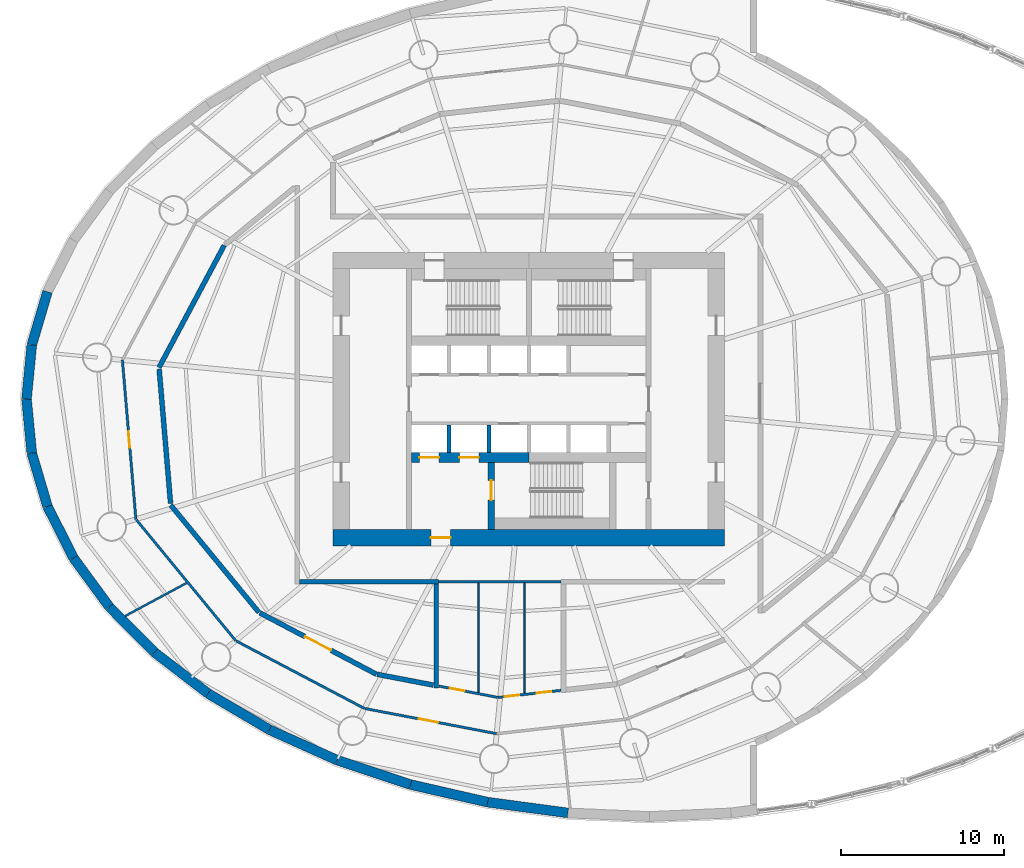
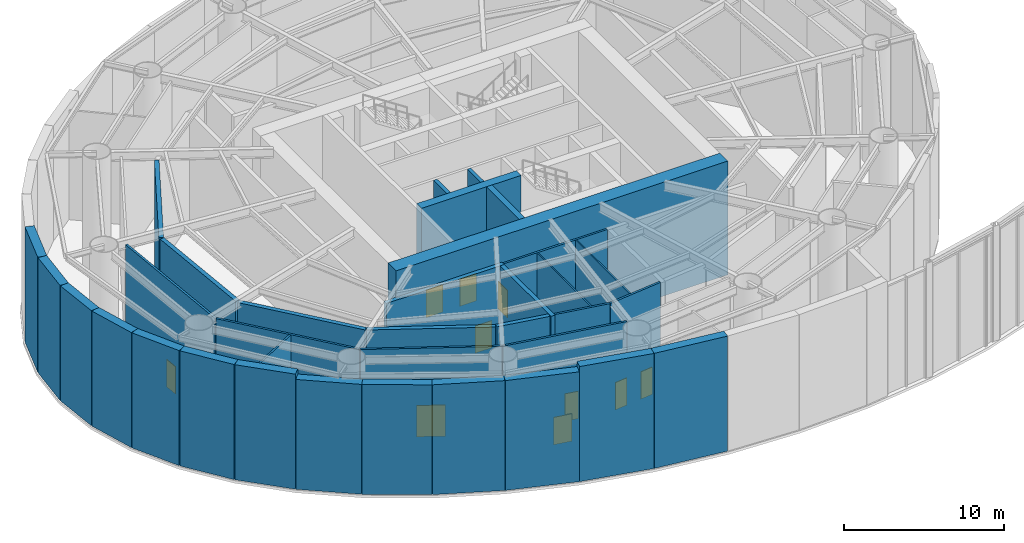
# One storey, part 14 of 19: 35 walls, 10 doors, 10 openings.
"""IFC4 building model written with IfcOpenShell, lengths in metres."""

import ifcopenshell
import ifcopenshell.guid

model = None  # the IFC model being written
_history = None  # IfcOwnerHistory: only IFC2X3 demands one
_inside = {}  # id of a spatial element -> (the spatial element, [elements in it])
_under = {}  # id of a project, library or spatial element -> (it, [spatial elements below it])
_declared = {}  # id of a project -> (the project, [libraries it declares])
_typed = {}  # id of a type object -> (the type object, [elements of that type])
_made_of = {}  # id of a material, layer set ... -> (it, [elements and type objects made of it])


def new_model(schema):
    """Start an empty IFC model of exactly this schema.

    Asked for "IFC4X3", IfcOpenShell would pick the latest addendum, in which some entities
    have other attributes; the version numbers below select the first issue.
    IFC2X3 requires an IfcOwnerHistory on every rooted entity: one is made here for all.
    """
    global model, _history
    if schema == "IFC4X3":
        model = ifcopenshell.file(schema_version=(4, 3, 0, 0))
    else:
        model = ifcopenshell.file(schema=schema)
    _inside.clear()
    _under.clear()
    _declared.clear()
    _typed.clear()
    _made_of.clear()
    _history = None
    if model.schema == "IFC2X3":
        org = make("IfcOrganization", Name="unknown")
        user = make(
            "IfcPersonAndOrganization",
            ThePerson=make("IfcPerson", FamilyName="unknown"),
            TheOrganization=org,
        )
        app = make(
            "IfcApplication",
            ApplicationDeveloper=org,
            Version="unknown",
            ApplicationFullName="unknown",
            ApplicationIdentifier="unknown",
        )
        _history = make(
            "IfcOwnerHistory",
            OwningUser=user,
            OwningApplication=app,
            ChangeAction="ADDED",
            CreationDate=0,
        )
    return model


def make(cls, **values):
    """One entity of the class cls with the attributes given. An attribute that is None is left unset."""
    return model.create_entity(
        cls, **{name: value for name, value in values.items() if value is not None}
    )


def rooted(cls, **values):
    """An entity with a GlobalId (a new one), such as an element, a storey or a relation."""
    return make(cls, GlobalId=ifcopenshell.guid.new(), OwnerHistory=_history, **values)


def si_unit(unit_type, name, prefix=None):
    """IfcSIUnit, for example si_unit("LENGTHUNIT", "METRE", prefix="MILLI")."""
    return make("IfcSIUnit", UnitType=unit_type, Prefix=prefix, Name=name)


def assignment(units):
    """IfcUnitAssignment: the units of a project."""
    return None if units is None else make("IfcUnitAssignment", Units=units)


def point(xyz):
    """IfcCartesianPoint."""
    return None if xyz is None else make("IfcCartesianPoint", Coordinates=xyz)


def direction(xyz):
    """IfcDirection."""
    return None if xyz is None else make("IfcDirection", DirectionRatios=xyz)


def frame(location, z_axis=None, x_axis=None):
    """IfcAxis2Placement3D, a coordinate frame: its origin and axes. An axis left out is left unset."""
    return make(
        "IfcAxis2Placement3D",
        Location=point(location),
        Axis=direction(z_axis),
        RefDirection=direction(x_axis),
    )


def frame_2d(location, x_axis=None):
    """IfcAxis2Placement2D, a coordinate frame in the plane: its origin and x axis."""
    return make(
        "IfcAxis2Placement2D", Location=point(location), RefDirection=direction(x_axis)
    )


def origin():
    """The frame at (0, 0, 0) with its axes left unset."""
    return frame((0.0, 0.0, 0.0))


def place(relative_to, where):
    """IfcLocalPlacement: puts the frame where relative to a parent placement (None: the world)."""
    return make(
        "IfcLocalPlacement", PlacementRelTo=relative_to, RelativePlacement=where
    )


def context(
    kind, dimensions, precision=None, world=None, true_north=None, identifier=None
):
    """IfcGeometricRepresentationContext, for example the 3D "Model" context."""
    return make(
        "IfcGeometricRepresentationContext",
        ContextIdentifier=identifier,
        ContextType=kind,
        CoordinateSpaceDimension=dimensions,
        Precision=precision,
        WorldCoordinateSystem=world,
        TrueNorth=true_north,
    )


def subcontext(parent, identifier, kind, view, scale=None):
    """IfcGeometricRepresentationSubContext, for example "Body" below "Model"."""
    return make(
        "IfcGeometricRepresentationSubContext",
        ContextIdentifier=identifier,
        ContextType=kind,
        ParentContext=parent,
        TargetScale=scale,
        TargetView=view,
    )


def project(units=None, contexts=None):
    """IfcProject with its units and contexts."""
    return rooted(
        "IfcProject",
        Name="project",
        RepresentationContexts=contexts,
        UnitsInContext=assignment(units),
    )


def spatial(cls, under=None, at=None, **own):
    """A site, building, storey or space (cls), placed at a placement, below another one or the project."""
    s = rooted(cls, ObjectPlacement=at, **own)
    if under is not None:
        _under.setdefault(under.id(), (under, []))[1].append(s)
    return s


def profile(cls, at=None, kind="AREA", **sizes):
    """A parametric profile (cls). Its sizes go by their IFC names, for example OverallWidth=200.0."""
    return make(cls, ProfileType=kind, Position=at, **sizes)


def rectangle(**sizes):
    """IfcRectangleProfileDef."""
    return profile("IfcRectangleProfileDef", **sizes)


def extrude(swept, where, along, depth):
    """IfcExtrudedAreaSolid: the profile swept, set in the frame where, extruded along a direction by depth."""
    return make(
        "IfcExtrudedAreaSolid",
        SweptArea=swept,
        Position=where,
        ExtrudedDirection=direction(along),
        Depth=depth,
    )


def shape(context_of_items, identifier, shape_type, items):
    """IfcShapeRepresentation: the items that make up one representation, for example the "Body"."""
    return make(
        "IfcShapeRepresentation",
        ContextOfItems=context_of_items,
        RepresentationIdentifier=identifier,
        RepresentationType=shape_type,
        Items=items,
    )


def material(Name=None, Category=None):
    """IfcMaterial."""
    return make("IfcMaterial", Name=Name, Category=Category)


def layer(
    of_material, thickness, ventilated=None, Name=None, Category=None, Priority=None
):
    """IfcMaterialLayer: one layer of a wall or slab, of a material (None: an air gap)."""
    return make(
        "IfcMaterialLayer",
        Material=of_material,
        LayerThickness=thickness,
        IsVentilated=ventilated,
        Name=Name,
        Category=Category,
        Priority=Priority,
    )


def layer_set(layers, Name=None):
    """IfcMaterialLayerSet."""
    return make("IfcMaterialLayerSet", MaterialLayers=layers, LayerSetName=Name)


def made_of(thing, what):
    """Note that an element or type object is made of a material, layer set ...; save() writes the relation."""
    if what is not None:
        _made_of.setdefault(what.id(), (what, []))[1].append(thing)
    return thing


def type_object(cls, material=None, **own):
    """A type object (cls), such as IfcWallType, which elements share."""
    return made_of(rooted(cls, **own), material)


def element(
    cls,
    number,
    at=None,
    inside=None,
    cuts=None,
    type_object=None,
    material=None,
    context=None,
    identifier="Body",
    shape_type=None,
    held_by="IfcProductDefinitionShape",
    body=None,
    shapes=None,
    **own,
):
    """One element of the class cls, such as IfcWall. Its Tag is "e" and its number.

    at: its placement. inside: the storey or other place that contains it. cuts: it is an
    opening in that element (IfcRelVoidsElement). A single representation is given by context,
    identifier, shape_type and body (its items); several are given by shapes. held_by: the class
    of the entity that holds the representations. save() writes the other relations.
    """
    e = rooted(cls, Tag="e%d" % number, ObjectPlacement=at, **own)
    if body is not None:
        shapes = [shape(context, identifier, shape_type, body)]
    if shapes is not None:
        e.Representation = make(held_by, Representations=shapes)
    if inside is not None:
        _inside.setdefault(inside.id(), (inside, []))[1].append(e)
    if cuts is not None:
        rooted(
            "IfcRelVoidsElement", RelatingBuildingElement=cuts, RelatedOpeningElement=e
        )
    if type_object is not None:
        _typed.setdefault(type_object.id(), (type_object, []))[1].append(e)
    return made_of(e, material)


def fill(opening, filler):
    """IfcRelFillsElement: the door or window that sits in an opening."""
    return rooted(
        "IfcRelFillsElement",
        RelatingOpeningElement=opening,
        RelatedBuildingElement=filler,
    )


def aggregate(whole, parts):
    """IfcRelAggregates: a whole, such as a stair, and the parts it consists of."""
    return rooted("IfcRelAggregates", RelatingObject=whole, RelatedObjects=parts)


def save(model, path):
    """Write the relations noted so far, then the file.

    IfcRelAggregates (storeys below a building ...), IfcRelContainedInSpatialStructure (elements
    in a storey), IfcRelDefinesByType, IfcRelAssociatesMaterial and IfcRelDeclares: one each for
    every whole, place, type object, material and project.
    """
    for whole, parts in _under.values():
        aggregate(whole, parts)
    for where, things in _inside.values():
        rooted(
            "IfcRelContainedInSpatialStructure",
            RelatedElements=things,
            RelatingStructure=where,
        )
    for kind, things in _typed.values():
        rooted("IfcRelDefinesByType", RelatedObjects=things, RelatingType=kind)
    for what, things in _made_of.values():
        rooted("IfcRelAssociatesMaterial", RelatedObjects=things, RelatingMaterial=what)
    for by, libraries in _declared.values():
        rooted("IfcRelDeclares", RelatingContext=by, RelatedDefinitions=libraries)
    model.write(path)


model = new_model("IFC4")

# Units and contexts
model_context = context("Model", 3, precision=1e-05, world=origin(), true_north=direction((0.0, 1.0)))
body_context = subcontext(model_context, "Body", "Model", "MODEL_VIEW")
ifc_project = project(units=[si_unit("LENGTHUNIT", "METRE"), si_unit("AREAUNIT", "SQUARE_METRE"), si_unit("VOLUMEUNIT", "CUBIC_METRE"), si_unit("PLANEANGLEUNIT", "RADIAN"), si_unit("MASSUNIT", "GRAM", prefix="KILO")], contexts=[model_context])

# Site, building, storey
site_placement = place(None, origin())
site = spatial("IfcSite", under=ifc_project, at=site_placement, CompositionType="ELEMENT")
building_placement = place(site_placement, origin())
building = spatial("IfcBuilding", under=site, at=building_placement, Name="Vermilion Reach Broadcast Tower", CompositionType="ELEMENT")
storey_placement = place(building_placement, frame((0.0, 0.0, 8.0)))
storey = spatial("IfcBuildingStorey", under=building, at=storey_placement, Name="L01", CompositionType="ELEMENT", Elevation=8.0)

# Wall, opening, door
ifc_material_1 = material(Name="Concrete C70", Category="concrete")
ifc_layer_1 = layer(ifc_material_1, 0.39990234375)
ifc_layer_set_1 = layer_set([ifc_layer_1], Name="Core inner wall 400 mm Concrete C70")
wall_type_1 = type_object("IfcWallType", Name="Core inner wall 400 mm Concrete C70", PredefinedType="SHEAR", material=ifc_layer_set_1)
wall_1_placement = place(storey_placement, frame((-8.300048828125, -3.8798828125, 0.0), z_axis=(0.0, 0.0, 1.0), x_axis=(0.0, -1.0, 0.0)))
wall_1 = element("IfcWall", 1, at=wall_1_placement, inside=storey, type_object=wall_type_1, Name="L01 core wall wa", PredefinedType="SHEAR", context=body_context, shape_type="SweptSolid", body=[
    extrude(rectangle(XDim=4.1201171875, YDim=0.39990234375, at=frame_2d((2.06005859375, 0.0))), origin(), (0.0, 0.0, 1.0), 8.699951171875),
])
opening_1_placement = place(wall_1_placement, frame((1.110107421875, 0.0, 0.0)))
opening_1 = element("IfcOpeningElement", 2, at=opening_1_placement, cuts=wall_1, Name="Opening D01", PredefinedType="OPENING", context=body_context, shape_type="SweptSolid", body=[
    extrude(rectangle(XDim=1.199951171875, YDim=2.10009765625, at=frame_2d((0.60009765625, 1.050048828125))), frame((0.0, 0.2099609375, 0.0), z_axis=(0.0, -1.0, 0.0), x_axis=(1.0, 0.0, 0.0)), (0.0, 0.0, 1.0), 0.419921875),
])
ifc_material_2 = material(Name="Painted steel fire door", Category="steel")
door_type_1 = type_object("IfcDoorType", Name="Stair door 1200 x 2100", OperationType="DOUBLE_DOOR_SINGLE_SWING", PredefinedType="NOTDEFINED", material=ifc_material_2)
door_1_placement = place(opening_1_placement, origin())
door_1 = element("IfcDoor", 3, at=door_1_placement, inside=storey, type_object=door_type_1, Name="L01 stair door ST3", OperationType="DOUBLE_DOOR_SINGLE_SWING", OverallHeight=2.10009765625, OverallWidth=1.199951171875, PredefinedType="NOTDEFINED", context=body_context, shape_type="SweptSolid", body=[
    extrude(rectangle(XDim=1.199951171875, YDim=2.10009765625, at=frame_2d((0.60009765625, 1.050048828125))), frame((0.0, 0.02490234375, 0.0), z_axis=(0.0, -1.0, 0.0), x_axis=(1.0, 0.0, 0.0)), (0.0, 0.0, 1.0), 0.050048828125),
])
fill(opening_1, door_1)

# Wall, openings, doors
ifc_material_3 = material(Name="Concrete C70", Category="concrete")
ifc_layer_2 = layer(ifc_material_3, 0.60009765625)
ifc_layer_set_2 = layer_set([ifc_layer_2], Name="Core inner wall 600 mm Concrete C70")
wall_type_2 = type_object("IfcWallType", Name="Core inner wall 600 mm Concrete C70", PredefinedType="SHEAR", material=ifc_layer_set_2)
wall_2_placement = place(storey_placement, frame((-13.199951171875, -3.580078125, 0.0), z_axis=(0.0, 0.0, 1.0), x_axis=(1.0, 0.0, 0.0)))
wall_2 = element("IfcWall", 4, at=wall_2_placement, inside=storey, type_object=wall_type_2, Name="L01 core wall wisW", PredefinedType="SHEAR", context=body_context, shape_type="SweptSolid", body=[
    extrude(rectangle(XDim=7.199951171875, YDim=0.60009765625, at=frame_2d((3.60009765625, 0.0))), origin(), (0.0, 0.0, 1.0), 8.699951171875),
])
opening_2_placement = place(wall_2_placement, frame((0.495849609375, 0.0, 0.0)))
opening_2 = element("IfcOpeningElement", 5, at=opening_2_placement, cuts=wall_2, Name="Opening LD1", PredefinedType="OPENING", context=body_context, shape_type="SweptSolid", body=[
    extrude(rectangle(XDim=1.199951171875, YDim=2.10009765625, at=frame_2d((0.60009765625, 1.050048828125))), frame((0.0, 0.31005859375, 0.0), z_axis=(0.0, -1.0, 0.0), x_axis=(1.0, 0.0, 0.0)), (0.0, 0.0, 1.0), 0.6201171875),
])
opening_3_placement = place(wall_2_placement, frame((2.9375, 0.0, 0.0)))
opening_3 = element("IfcOpeningElement", 6, at=opening_3_placement, cuts=wall_2, Name="Opening LD1", PredefinedType="OPENING", context=body_context, shape_type="SweptSolid", body=[
    extrude(rectangle(XDim=1.199951171875, YDim=2.10009765625, at=frame_2d((0.60009765625, 1.050048828125))), frame((0.0, 0.31005859375, 0.0), z_axis=(0.0, -1.0, 0.0), x_axis=(1.0, 0.0, 0.0)), (0.0, 0.0, 1.0), 0.6201171875),
])
ifc_material_4 = material(Name="Stainless steel", Category="steel")
door_type_2 = type_object("IfcDoorType", Name="Landing door 1200 x 2100", OperationType="DOUBLE_DOOR_SLIDING", PredefinedType="NOTDEFINED", material=ifc_material_4)
door_2_placement = place(opening_2_placement, origin())
door_2 = element("IfcDoor", 7, at=door_2_placement, inside=storey, type_object=door_type_2, Name="L01 landing door FF1", OperationType="DOUBLE_DOOR_SLIDING", OverallHeight=2.10009765625, OverallWidth=1.199951171875, PredefinedType="NOTDEFINED", context=body_context, shape_type="SweptSolid", body=[
    extrude(rectangle(XDim=1.199951171875, YDim=2.10009765625, at=frame_2d((0.60009765625, 1.050048828125))), frame((0.0, 0.02490234375, 0.0), z_axis=(0.0, -1.0, 0.0), x_axis=(1.0, 0.0, 0.0)), (0.0, 0.0, 1.0), 0.050048828125),
])
fill(opening_2, door_2)
door_3_placement = place(opening_3_placement, origin())
door_3 = element("IfcDoor", 8, at=door_3_placement, inside=storey, type_object=door_type_2, Name="L01 landing door FF2", OperationType="DOUBLE_DOOR_SLIDING", OverallHeight=2.10009765625, OverallWidth=1.199951171875, PredefinedType="NOTDEFINED", context=body_context, shape_type="SweptSolid", body=[
    extrude(rectangle(XDim=1.199951171875, YDim=2.10009765625, at=frame_2d((0.60009765625, 1.050048828125))), frame((0.0, 0.02490234375, 0.0), z_axis=(0.0, -1.0, 0.0), x_axis=(1.0, 0.0, 0.0)), (0.0, 0.0, 1.0), 0.050048828125),
])
fill(opening_3, door_3)

# Wall, opening, door
ifc_material_5 = material(Name="Concrete C70", Category="concrete")
ifc_layer_3 = layer(ifc_material_5, 1.0)
ifc_layer_set_3 = layer_set([ifc_layer_3], Name="Core outer wall 1000 mm Concrete C70")
wall_type_3 = type_object("IfcWallType", Name="Core outer wall 1000 mm Concrete C70", PredefinedType="SHEAR", material=ifc_layer_set_3)
wall_3_placement = place(storey_placement, frame((-18.0, -8.5, 0.0), z_axis=(0.0, 0.0, 1.0), x_axis=(1.0, 0.0, 0.0)))
wall_3 = element("IfcWall", 9, at=wall_3_placement, inside=storey, type_object=wall_type_3, Name="L01 core wall os", PredefinedType="SHEAR", context=body_context, shape_type="SweptSolid", body=[
    extrude(rectangle(XDim=24.0, YDim=1.0, at=frame_2d((12.0, 0.0))), origin(), (0.0, 0.0, 1.0), 8.699951171875),
])
opening_4_placement = place(wall_3_placement, frame((6.0, 0.0, 0.0)))
opening_4 = element("IfcOpeningElement", 10, at=opening_4_placement, cuts=wall_3, Name="Opening D02", PredefinedType="OPENING", context=body_context, shape_type="SweptSolid", body=[
    extrude(rectangle(XDim=1.199951171875, YDim=2.10009765625, at=frame_2d((0.60009765625, 1.050048828125))), frame((0.0, 0.510009765625, 0.0), z_axis=(0.0, -1.0, 0.0), x_axis=(1.0, 0.0, 0.0)), (0.0, 0.0, 1.0), 1.02001953125),
])
ifc_material_6 = material(Name="Painted steel fire door", Category="steel")
door_type_3 = type_object("IfcDoorType", Name="Firefighting lobby door 1200 x 2100", OperationType="DOUBLE_DOOR_SINGLE_SWING", PredefinedType="NOTDEFINED", material=ifc_material_6)
door_4_placement = place(opening_4_placement, origin())
door_4 = element("IfcDoor", 11, at=door_4_placement, inside=storey, type_object=door_type_3, Name="L01 ffdoor door FFL", OperationType="DOUBLE_DOOR_SINGLE_SWING", OverallHeight=2.10009765625, OverallWidth=1.199951171875, PredefinedType="NOTDEFINED", context=body_context, shape_type="SweptSolid", body=[
    extrude(rectangle(XDim=1.199951171875, YDim=2.10009765625, at=frame_2d((0.60009765625, 1.050048828125))), frame((0.0, 0.02490234375, 0.0), z_axis=(0.0, -1.0, 0.0), x_axis=(1.0, 0.0, 0.0)), (0.0, 0.0, 1.0), 0.050048828125),
])
fill(opening_4, door_4)

# Walls
ifc_material_7 = material(Name="Concrete C50", Category="concrete")
ifc_layer_4 = layer(ifc_material_7, 0.25)
ifc_layer_set_4 = layer_set([ifc_layer_4], Name="Core shaft wall 250 mm Concrete C50")
wall_type_4 = type_object("IfcWallType", Name="Core shaft wall 250 mm Concrete C50", PredefinedType="SHEAR", material=ifc_layer_set_4)
for number, where, z_axis, x_axis, name in (
    (12, (-10.88330078125, -1.60009765625, 0.0), (0.0, 0.0, 1.0), (0.0, -1.0, 0.0), "L01 core wall psS0"),
    (13, (-8.441650390625, -1.60009765625, 0.0), (0.0, 0.0, 1.0), (0.0, -1.0, 0.0), "L01 core wall psS1"),
):
    element("IfcWall", number, at=place(storey_placement, frame(where, z_axis=z_axis, x_axis=x_axis)), inside=storey, type_object=wall_type_4, Name=name, PredefinedType="SHEAR", context=body_context, shape_type="SweptSolid", body=[
        extrude(rectangle(XDim=1.679931640625, YDim=0.25, at=frame_2d((0.83984375, 0.0))), origin(), (0.0, 0.0, 1.0), 8.699951171875),
    ])
ifc_material_8 = material(Name="Gypsum board partition")
ifc_layer_5 = layer(ifc_material_8, 0.14990234375)
ifc_layer_set_5 = layer_set([ifc_layer_5], Name="Corridor wall 150")
wall_type_5 = type_object("IfcWallType", Name="Corridor wall 150", PredefinedType="PARTITIONING", material=ifc_layer_set_5)
wall_4_placement = place(storey_placement, frame((-11.5244140625, -11.199951171875, 0.0), z_axis=(0.0, 0.0, 1.0), x_axis=(1.0, 0.0, 0.0)))
element("IfcWall", 14, at=wall_4_placement, inside=storey, type_object=wall_type_5, Name="sp.wall.L01.005", PredefinedType="PARTITIONING", context=body_context, shape_type="SweptSolid", body=[
    extrude(rectangle(XDim=7.50048828125, YDim=0.14990234375, at=frame_2d((3.750244140625, 0.0))), origin(), (0.0, 0.0, 1.0), 8.35009765625),
])

# Wall, opening, door
wall_5_placement = place(storey_placement, frame((-11.510009765625, -17.604736328125, 0.0), z_axis=(0.0, 0.0, 1.0), x_axis=(0.982205411617, -0.1878098224, 0.0)))
wall_5 = element("IfcWall", 15, at=wall_5_placement, inside=storey, type_object=wall_type_5, Name="sp.wall.L01.023", PredefinedType="PARTITIONING", context=body_context, shape_type="SweptSolid", body=[
    extrude(rectangle(XDim=3.665771484375, YDim=0.14990234375, at=frame_2d((1.8330078125, 0.0))), origin(), (0.0, 0.0, 1.0), 8.35009765625),
])
opening_5_placement = place(wall_5_placement, frame((0.692138671875, 0.0, 0.0)))
opening_5 = element("IfcOpeningElement", 16, at=opening_5_placement, cuts=wall_5, Name="Opening D51", PredefinedType="OPENING", context=body_context, shape_type="SweptSolid", body=[
    extrude(rectangle(XDim=0.89990234375, YDim=2.10009765625, at=frame_2d((0.449951171875, 1.050048828125))), frame((0.0, 0.0849609375, 0.0), z_axis=(0.0, -1.0, 0.0), x_axis=(1.0, 0.0, 0.0)), (0.0, 0.0, 1.0), 0.169921875),
])
ifc_material_9 = material(Name="Timber and steel door set", Category="steel")
door_type_4 = type_object("IfcDoorType", Name="Door 900x2100 WC", OperationType="NOTDEFINED", PredefinedType="DOOR", material=ifc_material_9)
door_5_placement = place(opening_5_placement, origin())
door_5 = element("IfcDoor", 17, at=door_5_placement, inside=storey, type_object=door_type_4, Name="sp.door.L01.002", OperationType="SINGLE_SWING_LEFT", OverallHeight=2.10009765625, OverallWidth=0.89990234375, PredefinedType="DOOR", context=body_context, shape_type="SweptSolid", body=[
    extrude(rectangle(XDim=0.89990234375, YDim=2.10009765625, at=frame_2d((0.449951171875, 1.050048828125))), frame((0.0, 0.02490234375, 0.0), z_axis=(0.0, -1.0, 0.0), x_axis=(1.0, 0.0, 0.0)), (0.0, 0.0, 1.0), 0.050048828125),
])
fill(opening_5, door_5)

# Wall, openings, doors
wall_6_placement = place(storey_placement, frame((-7.886474609375, -18.297607421875, 0.0), z_axis=(0.0, 0.0, 1.0), x_axis=(0.993758735992, 0.111550771581, 0.0)))
wall_6 = element("IfcWall", 18, at=wall_6_placement, inside=storey, type_object=wall_type_5, Name="sp.wall.L01.025", PredefinedType="PARTITIONING", context=body_context, shape_type="SweptSolid", body=[
    extrude(rectangle(XDim=3.878173828125, YDim=0.14990234375, at=frame_2d((1.93896484375, 0.0))), origin(), (0.0, 0.0, 1.0), 8.35009765625),
])
opening_6_placement = place(wall_6_placement, frame((0.4111328125, 0.0, 0.0)))
opening_6 = element("IfcOpeningElement", 19, at=opening_6_placement, cuts=wall_6, Name="Opening D51", PredefinedType="OPENING", context=body_context, shape_type="SweptSolid", body=[
    extrude(rectangle(XDim=0.89990234375, YDim=2.10009765625, at=frame_2d((0.449951171875, 1.050048828125))), frame((0.0, 0.0849609375, 0.0), z_axis=(0.0, -1.0, 0.0), x_axis=(1.0, 0.0, 0.0)), (0.0, 0.0, 1.0), 0.169921875),
])
opening_7_placement = place(wall_6_placement, frame((2.375732421875, 0.0, 0.0)))
opening_7 = element("IfcOpeningElement", 20, at=opening_7_placement, cuts=wall_6, Name="Opening D51", PredefinedType="OPENING", context=body_context, shape_type="SweptSolid", body=[
    extrude(rectangle(XDim=0.89990234375, YDim=2.10009765625, at=frame_2d((0.449951171875, 1.050048828125))), frame((0.0, 0.0849609375, 0.0), z_axis=(0.0, -1.0, 0.0), x_axis=(1.0, 0.0, 0.0)), (0.0, 0.0, 1.0), 0.169921875),
])
door_6_placement = place(opening_6_placement, origin())
door_6 = element("IfcDoor", 21, at=door_6_placement, inside=storey, type_object=door_type_4, Name="sp.door.L01.003", OperationType="SINGLE_SWING_RIGHT", OverallHeight=2.10009765625, OverallWidth=0.89990234375, PredefinedType="DOOR", context=body_context, shape_type="SweptSolid", body=[
    extrude(rectangle(XDim=0.89990234375, YDim=2.10009765625, at=frame_2d((0.449951171875, 1.050048828125))), frame((0.0, 0.02490234375, 0.0), z_axis=(0.0, -1.0, 0.0), x_axis=(1.0, 0.0, 0.0)), (0.0, 0.0, 1.0), 0.050048828125),
])
fill(opening_6, door_6)
door_7_placement = place(opening_7_placement, origin())
door_7 = element("IfcDoor", 22, at=door_7_placement, inside=storey, type_object=door_type_4, Name="sp.door.L01.004", OperationType="SINGLE_SWING_LEFT", OverallHeight=2.10009765625, OverallWidth=0.89990234375, PredefinedType="DOOR", context=body_context, shape_type="SweptSolid", body=[
    extrude(rectangle(XDim=0.89990234375, YDim=2.10009765625, at=frame_2d((0.449951171875, 1.050048828125))), frame((0.0, 0.02490234375, 0.0), z_axis=(0.0, -1.0, 0.0), x_axis=(1.0, 0.0, 0.0)), (0.0, 0.0, 1.0), 0.050048828125),
])
fill(opening_7, door_7)

# Wall, opening, door
wall_7_placement = place(storey_placement, frame((-30.921142578125, 2.395263671875, 0.0), z_axis=(0.0, 0.0, 1.0), x_axis=(0.084469905026, -0.996426030945, 0.0)))
wall_7 = element("IfcWall", 23, at=wall_7_placement, inside=storey, type_object=wall_type_5, Name="sp.wall.L01.041", PredefinedType="PARTITIONING", context=body_context, shape_type="SweptSolid", body=[
    extrude(rectangle(XDim=9.80078125, YDim=0.14990234375, at=frame_2d((4.900390625, 0.0))), origin(), (0.0, 0.0, 1.0), 8.35009765625),
])
opening_8_placement = place(wall_7_placement, frame((4.400390625, 0.0, 0.0)))
opening_8 = element("IfcOpeningElement", 24, at=opening_8_placement, cuts=wall_7, Name="Opening D50", PredefinedType="OPENING", context=body_context, shape_type="SweptSolid", body=[
    extrude(rectangle(XDim=1.0, YDim=2.10009765625, at=frame_2d((0.5, 1.050048828125))), frame((0.0, 0.0849609375, 0.0), z_axis=(0.0, -1.0, 0.0), x_axis=(1.0, 0.0, 0.0)), (0.0, 0.0, 1.0), 0.169921875),
])
ifc_material_10 = material(Name="Timber and steel door set", Category="steel")
door_type_5 = type_object("IfcDoorType", Name="Door 1000x2100", OperationType="NOTDEFINED", PredefinedType="DOOR", material=ifc_material_10)
door_8_placement = place(opening_8_placement, origin())
door_8 = element("IfcDoor", 25, at=door_8_placement, inside=storey, type_object=door_type_5, Name="sp.door.L01.008", OperationType="SINGLE_SWING_LEFT", OverallHeight=2.10009765625, OverallWidth=1.0, PredefinedType="DOOR", context=body_context, shape_type="SweptSolid", body=[
    extrude(rectangle(XDim=1.0, YDim=2.10009765625, at=frame_2d((0.5, 1.050048828125))), frame((0.0, 0.02490234375, 0.0), z_axis=(0.0, -1.0, 0.0), x_axis=(1.0, 0.0, 0.0)), (0.0, 0.0, 1.0), 0.050048828125),
])
fill(opening_8, door_8)

# Walls
wall_8_placement = place(storey_placement, frame((-30.060302734375, -7.41064453125, 0.0), z_axis=(0.0, 0.0, 1.0), x_axis=(0.63502168635, -0.772494309277, 0.0)))
element("IfcWall", 26, at=wall_8_placement, inside=storey, type_object=wall_type_5, Name="sp.wall.L01.042", PredefinedType="PARTITIONING", context=body_context, shape_type="SweptSolid", body=[
    extrude(rectangle(XDim=9.590087890625, YDim=0.14990234375, at=frame_2d((4.794921875, 0.0))), origin(), (0.0, 0.0, 1.0), 8.35009765625),
])
wall_9_placement = place(storey_placement, frame((-23.9423828125, -14.83349609375, 0.0), z_axis=(0.0, 0.0, 1.0), x_axis=(0.884920607371, -0.465741901326, 0.0)))
element("IfcWall", 27, at=wall_9_placement, inside=storey, type_object=wall_type_5, Name="sp.wall.L01.044", PredefinedType="PARTITIONING", context=body_context, shape_type="SweptSolid", body=[
    extrude(rectangle(XDim=8.882080078125, YDim=0.14990234375, at=frame_2d((4.44091796875, 0.0))), origin(), (0.0, 0.0, 1.0), 8.35009765625),
])

# Wall, opening, door
wall_10_placement = place(storey_placement, frame((-16.06005859375, -18.974609375, 0.0), z_axis=(0.0, 0.0, 1.0), x_axis=(0.982207009241, -0.187801466976, 0.0)))
wall_10 = element("IfcWall", 28, at=wall_10_placement, inside=storey, type_object=wall_type_5, Name="sp.wall.L01.045", PredefinedType="PARTITIONING", context=body_context, shape_type="SweptSolid", body=[
    extrude(rectangle(XDim=8.234130859375, YDim=0.14990234375, at=frame_2d((4.1171875, 0.0))), origin(), (0.0, 0.0, 1.0), 8.35009765625),
])
opening_9_placement = place(wall_10_placement, frame((3.390625, 0.0, 0.0)))
opening_9 = element("IfcOpeningElement", 29, at=opening_9_placement, cuts=wall_10, Name="Opening D57", PredefinedType="OPENING", context=body_context, shape_type="SweptSolid", body=[
    extrude(rectangle(XDim=1.199951171875, YDim=2.10009765625, at=frame_2d((0.60009765625, 1.050048828125))), frame((0.0, 0.0849609375, 0.0), z_axis=(0.0, -1.0, 0.0), x_axis=(1.0, 0.0, 0.0)), (0.0, 0.0, 1.0), 0.169921875),
])
ifc_material_11 = material(Name="Timber and steel door set", Category="steel")
door_type_6 = type_object("IfcDoorType", Name="Control room door 1200x2100", OperationType="NOTDEFINED", PredefinedType="DOOR", material=ifc_material_11)
door_9_placement = place(opening_9_placement, origin())
door_9 = element("IfcDoor", 30, at=door_9_placement, inside=storey, type_object=door_type_6, Name="sp.door.L01.009", OperationType="SINGLE_SWING_RIGHT", OverallHeight=2.10009765625, OverallWidth=1.199951171875, PredefinedType="DOOR", context=body_context, shape_type="SweptSolid", body=[
    extrude(rectangle(XDim=1.199951171875, YDim=2.10009765625, at=frame_2d((0.60009765625, 1.050048828125))), frame((0.0, 0.02490234375, 0.0), z_axis=(0.0, -1.0, 0.0), x_axis=(1.0, 0.0, 0.0)), (0.0, 0.0, 1.0), 0.050048828125),
])
fill(opening_9, door_9)

# Walls
ifc_material_12 = material(Name="Gypsum board partition")
ifc_layer_6 = layer(ifc_material_12, 0.125)
ifc_layer_set_6 = layer_set([ifc_layer_6], Name="Partition 125 plasterboard")
wall_type_6 = type_object("IfcWallType", Name="Partition 125 plasterboard", PredefinedType="PARTITIONING", material=ifc_layer_set_6)
wall_11_placement = place(storey_placement, frame((-30.74560546875, -13.302001953125, 0.0), z_axis=(0.0, 0.0, 1.0), x_axis=(0.880798131898, 0.473491975481, 0.0)))
element("IfcWall", 31, at=wall_11_placement, inside=storey, type_object=wall_type_6, Name="sp.wall.L01.039", PredefinedType="PARTITIONING", context=body_context, shape_type="SweptSolid", body=[
    extrude(rectangle(XDim=4.26416015625, YDim=0.125, at=frame_2d((2.132080078125, 0.0))), origin(), (0.0, 0.0, 1.0), 8.35009765625),
])
ifc_material_13 = material(Name="Precast concrete C40/50 with acoustic cladding", Category="concrete")
ifc_layer_7 = layer(ifc_material_13, 0.60009765625)
ifc_layer_set_7 = layer_set([ifc_layer_7], Name="Podium acoustic wall 600")
wall_type_7 = type_object("IfcWallType", Name="Podium acoustic wall 600", PredefinedType="SOLIDWALL", material=ifc_layer_set_7)
wall_12_placement = place(storey_placement, frame((-35.51318359375, 6.58154296875, 0.0), z_axis=(0.0, 0.0, 1.0), x_axis=(-0.283226206308, -0.95905313516, 0.0)))
element("IfcWall", 32, at=wall_12_placement, inside=storey, type_object=wall_type_7, Name="Podium wall L01 str12", PredefinedType="SOLIDWALL", context=body_context, shape_type="SweptSolid", body=[
    extrude(rectangle(XDim=3.404052734375, YDim=0.60009765625, at=frame_2d((1.7021484375, 0.0))), origin(), (0.0, 0.0, 1.0), 8.800048828125),
])
for number, where, z_axis, x_axis, name in (
    (33, (-36.477294921875, 3.31689453125, 0.0), (0.0, 0.0, 1.0), (-0.096848626537, -0.995299122645, 0.0), "Podium wall L01 str13"),
    (34, (-36.800048828125, 0.0, 0.0), (0.0, 0.0, 1.0), (0.096848626537, -0.995299122645, 0.0), "Podium wall L01 str14"),
):
    element("IfcWall", number, at=place(storey_placement, frame(where, z_axis=z_axis, x_axis=x_axis)), inside=storey, type_object=wall_type_7, Name=name, PredefinedType="SOLIDWALL", context=body_context, shape_type="SweptSolid", body=[
        extrude(rectangle(XDim=3.33251953125, YDim=0.60009765625, at=frame_2d((1.666259765625, 0.0))), origin(), (0.0, 0.0, 1.0), 8.800048828125),
    ])
wall_13_placement = place(storey_placement, frame((-36.477294921875, -3.31689453125, 0.0), z_axis=(0.0, 0.0, 1.0), x_axis=(0.283226206308, -0.95905313516, 0.0)))
element("IfcWall", 35, at=wall_13_placement, inside=storey, type_object=wall_type_7, Name="Podium wall L01 str15", PredefinedType="SOLIDWALL", context=body_context, shape_type="SweptSolid", body=[
    extrude(rectangle(XDim=3.404052734375, YDim=0.60009765625, at=frame_2d((1.7021484375, 0.0))), origin(), (0.0, 0.0, 1.0), 8.800048828125),
])
wall_14_placement = place(storey_placement, frame((-35.51318359375, -6.58154296875, 0.0), z_axis=(0.0, 0.0, 1.0), x_axis=(0.450137579264, -0.892959215045, 0.0)))
element("IfcWall", 36, at=wall_14_placement, inside=storey, type_object=wall_type_7, Name="Podium wall L01 str16", PredefinedType="SOLIDWALL", context=body_context, shape_type="SweptSolid", body=[
    extrude(rectangle(XDim=3.537353515625, YDim=0.60009765625, at=frame_2d((1.7685546875, 0.0))), origin(), (0.0, 0.0, 1.0), 8.800048828125),
])
wall_15_placement = place(storey_placement, frame((-33.9208984375, -9.740234375, 0.0), z_axis=(0.0, 0.0, 1.0), x_axis=(0.59073426953, -0.806866174035, 0.0)))
element("IfcWall", 37, at=wall_15_placement, inside=storey, type_object=wall_type_7, Name="Podium wall L01 str17", PredefinedType="SOLIDWALL", context=body_context, shape_type="SweptSolid", body=[
    extrude(rectangle(XDim=3.717529296875, YDim=0.60009765625, at=frame_2d((1.85888671875, 0.0))), origin(), (0.0, 0.0, 1.0), 8.800048828125),
])
wall_16_placement = place(storey_placement, frame((-31.724853515625, -12.73974609375, 0.0), z_axis=(0.0, 0.0, 1.0), x_axis=(0.704303183564, -0.709899306678, 0.0)))
element("IfcWall", 38, at=wall_16_placement, inside=storey, type_object=wall_type_7, Name="Podium wall L01 str18", PredefinedType="SOLIDWALL", context=body_context, shape_type="SweptSolid", body=[
    extrude(rectangle(XDim=3.926513671875, YDim=0.60009765625, at=frame_2d((1.96337890625, 0.0))), origin(), (0.0, 0.0, 1.0), 8.800048828125),
])
wall_17_placement = place(storey_placement, frame((-13.26416015625, -23.635498046875, 0.0), z_axis=(0.0, 0.0, 1.0), x_axis=(0.97483982486, -0.222906518224, 0.0)))
element("IfcWall", 39, at=wall_17_placement, inside=storey, type_object=wall_type_7, Name="Podium wall L01 str23", PredefinedType="SOLIDWALL", context=body_context, shape_type="SweptSolid", body=[
    extrude(rectangle(XDim=4.867431640625, YDim=0.60009765625, at=frame_2d((2.43359375, 0.0))), origin(), (0.0, 0.0, 1.0), 8.800048828125),
])
wall_18_placement = place(storey_placement, frame((-8.519287109375, -24.720458984375, 0.0), z_axis=(0.0, 0.0, 1.0), x_axis=(0.991143444913, -0.132795600853, 0.0)))
element("IfcWall", 40, at=wall_18_placement, inside=storey, type_object=wall_type_7, Name="Podium wall L01 str24", PredefinedType="SOLIDWALL", context=body_context, shape_type="SweptSolid", body=[
    extrude(rectangle(XDim=4.960205078125, YDim=0.60009765625, at=frame_2d((2.47998046875, 0.0))), origin(), (0.0, 0.0, 1.0), 8.800048828125),
])
ifc_material_14 = material(Name="Precast concrete C40/50 with acoustic cladding", Category="concrete")
ifc_layer_8 = layer(ifc_material_14, 0.60009765625)
ifc_layer_set_8 = layer_set([ifc_layer_8], Name="Podium acoustic wall 600, head 400 below soffit")
wall_type_8 = type_object("IfcWallType", Name="Podium acoustic wall 600, head 400 below soffit", PredefinedType="SOLIDWALL", material=ifc_layer_set_8)
wall_19_placement = place(storey_placement, frame((-28.95947265625, -15.527099609375, 0.0), z_axis=(0.0, 0.0, 1.0), x_axis=(0.793065901338, -0.609135843745, 0.0)))
element("IfcWall", 41, at=wall_19_placement, inside=storey, type_object=wall_type_8, Name="Podium wall L01 str19", PredefinedType="SOLIDWALL", context=body_context, shape_type="SweptSolid", body=[
    extrude(rectangle(XDim=4.146728515625, YDim=0.60009765625, at=frame_2d((2.0732421875, 0.0))), origin(), (0.0, 0.0, 1.0), 8.39990234375),
])
wall_20_placement = place(storey_placement, frame((-25.6708984375, -18.052978515625, 0.0), z_axis=(0.0, 0.0, 1.0), x_axis=(0.861017868942, -0.508574703818, 0.0)))
element("IfcWall", 42, at=wall_20_placement, inside=storey, type_object=wall_type_8, Name="Podium wall L01 str20", PredefinedType="SOLIDWALL", context=body_context, shape_type="SweptSolid", body=[
    extrude(rectangle(XDim=4.36279296875, YDim=0.60009765625, at=frame_2d((2.181396484375, 0.0))), origin(), (0.0, 0.0, 1.0), 8.39990234375),
])
wall_21_placement = place(storey_placement, frame((-21.91455078125, -20.271728515625, 0.0), z_axis=(0.0, 0.0, 1.0), x_axis=(0.911894462824, -0.410424766152, 0.0)))
element("IfcWall", 43, at=wall_21_placement, inside=storey, type_object=wall_type_8, Name="Podium wall L01 str21", PredefinedType="SOLIDWALL", context=body_context, shape_type="SweptSolid", body=[
    extrude(rectangle(XDim=4.561279296875, YDim=0.60009765625, at=frame_2d((2.28076171875, 0.0))), origin(), (0.0, 0.0, 1.0), 8.39990234375),
])
wall_22_placement = place(storey_placement, frame((-17.755126953125, -22.143798828125, 0.0), z_axis=(0.0, 0.0, 1.0), x_axis=(0.94901810672, -0.315221561949, 0.0)))
element("IfcWall", 44, at=wall_22_placement, inside=storey, type_object=wall_type_8, Name="Podium wall L01 str22", PredefinedType="SOLIDWALL", context=body_context, shape_type="SweptSolid", body=[
    extrude(rectangle(XDim=4.732177734375, YDim=0.60009765625, at=frame_2d((2.3662109375, 0.0))), origin(), (0.0, 0.0, 1.0), 8.39990234375),
])
ifc_material_15 = material(Name="Gypsum board double-leaf partition")
ifc_layer_9 = layer(ifc_material_15, 0.300048828125)
ifc_layer_set_9 = layer_set([ifc_layer_9], Name="Studio acoustic wall 300")
wall_type_9 = type_object("IfcWallType", Name="Studio acoustic wall 300", PredefinedType="PARTITIONING", material=ifc_layer_set_9)
wall_23_placement = place(storey_placement, frame((-20.050048828125, -11.199951171875, 0.0), z_axis=(0.0, 0.0, 1.0), x_axis=(1.0, 0.0, 0.0)))
element("IfcWall", 45, at=wall_23_placement, inside=storey, type_object=wall_type_9, Name="sp.wall.L01.003", PredefinedType="PARTITIONING", context=body_context, shape_type="SweptSolid", body=[
    extrude(rectangle(XDim=8.526123046875, YDim=0.300048828125, at=frame_2d((4.26318359375, 0.0))), origin(), (0.0, 0.0, 1.0), 8.35009765625),
])
wall_24_placement = place(storey_placement, frame((-11.674072265625, -17.723388671875, 0.0), z_axis=(0.0, 0.0, 1.0), x_axis=(0.0, 1.0, 0.0)))
element("IfcWall", 46, at=wall_24_placement, inside=storey, type_object=wall_type_9, Name="sp.wall.L01.015", PredefinedType="PARTITIONING", context=body_context, shape_type="SweptSolid", body=[
    extrude(rectangle(XDim=6.373291015625, YDim=0.300048828125, at=frame_2d((3.1865234375, 0.0))), origin(), (0.0, 0.0, 1.0), 8.35009765625),
])

# Wall, opening, door
wall_25_placement = place(storey_placement, frame((-22.4970703125, -13.108154296875, 0.0), z_axis=(0.0, 0.0, 1.0), x_axis=(0.88492608831, -0.465731487264, 0.0)))
wall_25 = element("IfcWall", 47, at=wall_25_placement, inside=storey, type_object=wall_type_9, Name="sp.wall.L01.016", PredefinedType="PARTITIONING", context=body_context, shape_type="SweptSolid", body=[
    extrude(rectangle(XDim=8.0791015625, YDim=0.300048828125, at=frame_2d((4.03955078125, 0.0))), origin(), (0.0, 0.0, 1.0), 8.35009765625),
])
opening_10_placement = place(wall_25_placement, frame((3.1396484375, 0.0, 0.0)))
opening_10 = element("IfcOpeningElement", 48, at=opening_10_placement, cuts=wall_25, Name="Opening D52", PredefinedType="OPENING", context=body_context, shape_type="SweptSolid", body=[
    extrude(rectangle(XDim=1.800048828125, YDim=2.39990234375, at=frame_2d((0.89990234375, 1.199951171875))), frame((0.0, 0.159912109375, 0.0), z_axis=(0.0, -1.0, 0.0), x_axis=(1.0, 0.0, 0.0)), (0.0, 0.0, 1.0), 0.320068359375),
])
ifc_material_16 = material(Name="Timber and steel door set", Category="steel")
door_type_7 = type_object("IfcDoorType", Name="Studio sound lock door 1800x2400", OperationType="NOTDEFINED", PredefinedType="DOOR", material=ifc_material_16)
door_10_placement = place(opening_10_placement, origin())
door_10 = element("IfcDoor", 49, at=door_10_placement, inside=storey, type_object=door_type_7, Name="sp.door.L01.001", OperationType="DOUBLE_DOOR_SINGLE_SWING", OverallHeight=2.39990234375, OverallWidth=1.800048828125, PredefinedType="DOOR", context=body_context, shape_type="SweptSolid", body=[
    extrude(rectangle(XDim=1.800048828125, YDim=2.39990234375, at=frame_2d((0.89990234375, 1.199951171875))), frame((0.0, 0.02490234375, 0.0), z_axis=(0.0, -1.0, 0.0), x_axis=(1.0, 0.0, 0.0)), (0.0, 0.0, 1.0), 0.050048828125),
])
fill(opening_10, door_10)

# Walls
wall_26_placement = place(storey_placement, frame((-27.958984375, -6.50244140625, 0.0), z_axis=(0.0, 0.0, 1.0), x_axis=(0.635033534221, -0.772484569694, 0.0)))
element("IfcWall", 50, at=wall_26_placement, inside=storey, type_object=wall_type_9, Name="sp.wall.L01.017", PredefinedType="PARTITIONING", context=body_context, shape_type="SweptSolid", body=[
    extrude(rectangle(XDim=8.513427734375, YDim=0.300048828125, at=frame_2d((4.2568359375, 0.0))), origin(), (0.0, 0.0, 1.0), 8.35009765625),
])
wall_27_placement = place(storey_placement, frame((-28.666015625, 1.83642578125, 0.0), z_axis=(0.0, 0.0, 1.0), x_axis=(0.084507198304, -0.996422868784, 0.0)))
element("IfcWall", 51, at=wall_27_placement, inside=storey, type_object=wall_type_9, Name="sp.wall.L01.018", PredefinedType="PARTITIONING", context=body_context, shape_type="SweptSolid", body=[
    extrude(rectangle(XDim=8.265380859375, YDim=0.300048828125, at=frame_2d((4.1328125, 0.0))), origin(), (0.0, 0.0, 1.0), 8.35009765625),
])
wall_28_placement = place(storey_placement, frame((-28.674072265625, 1.933349609375, 0.0), z_axis=(0.0, 0.0, 1.0), x_axis=(0.470743396375, 0.882270171076, 0.0)))
element("IfcWall", 52, at=wall_28_placement, inside=storey, type_object=wall_type_9, Name="sp.wall.L01.019", PredefinedType="PARTITIONING", context=body_context, shape_type="SweptSolid", body=[
    extrude(rectangle(XDim=8.4931640625, YDim=0.300048828125, at=frame_2d((4.24658203125, 0.0))), origin(), (0.0, 0.0, 1.0), 8.35009765625),
])
wall_29_placement = place(storey_placement, frame((-15.302734375, -16.87939453125, 0.0), z_axis=(0.0, 0.0, 1.0), x_axis=(0.982197775184, -0.187849754923, 0.0)))
element("IfcWall", 53, at=wall_29_placement, inside=storey, type_object=wall_type_9, Name="sp.wall.L01.021", PredefinedType="PARTITIONING", context=body_context, shape_type="SweptSolid", body=[
    extrude(rectangle(XDim=3.512939453125, YDim=0.300048828125, at=frame_2d((1.75634765625, 0.0))), origin(), (0.0, 0.0, 1.0), 8.35009765625),
])
ifc_material_17 = material(Name="Gypsum board partition")
ifc_layer_10 = layer(ifc_material_17, 0.10009765625)
ifc_layer_set_10 = layer_set([ifc_layer_10], Name="WC partition 100")
wall_type_10 = type_object("IfcWallType", Name="WC partition 100", PredefinedType="PARTITIONING", material=ifc_layer_set_10)
wall_30_placement = place(storey_placement, frame((-9.07421875, -17.984619140625, 0.0), z_axis=(0.0, 0.0, 1.0), x_axis=(0.0, 1.0, 0.0)))
element("IfcWall", 54, at=wall_30_placement, inside=storey, type_object=wall_type_10, Name="sp.wall.L01.022", PredefinedType="PARTITIONING", context=body_context, shape_type="SweptSolid", body=[
    extrude(rectangle(XDim=6.709716796875, YDim=0.10009765625, at=frame_2d((3.35498046875, 0.0))), origin(), (0.0, 0.0, 1.0), 8.35009765625),
])
wall_31_placement = place(storey_placement, frame((-6.274169921875, -18.03564453125, 0.0), z_axis=(0.0, 0.0, 1.0), x_axis=(0.0, 1.0, 0.0)))
element("IfcWall", 55, at=wall_31_placement, inside=storey, type_object=wall_type_10, Name="sp.wall.L01.024", PredefinedType="PARTITIONING", context=body_context, shape_type="SweptSolid", body=[
    extrude(rectangle(XDim=6.7607421875, YDim=0.10009765625, at=frame_2d((3.38037109375, 0.0))), origin(), (0.0, 0.0, 1.0), 8.35009765625),
])

save(model, "model.ifc")
